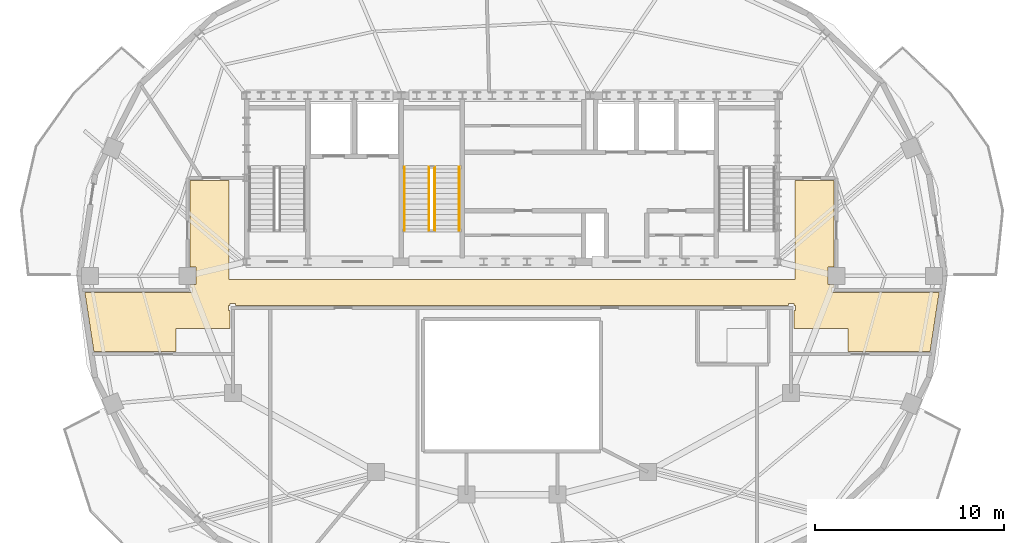
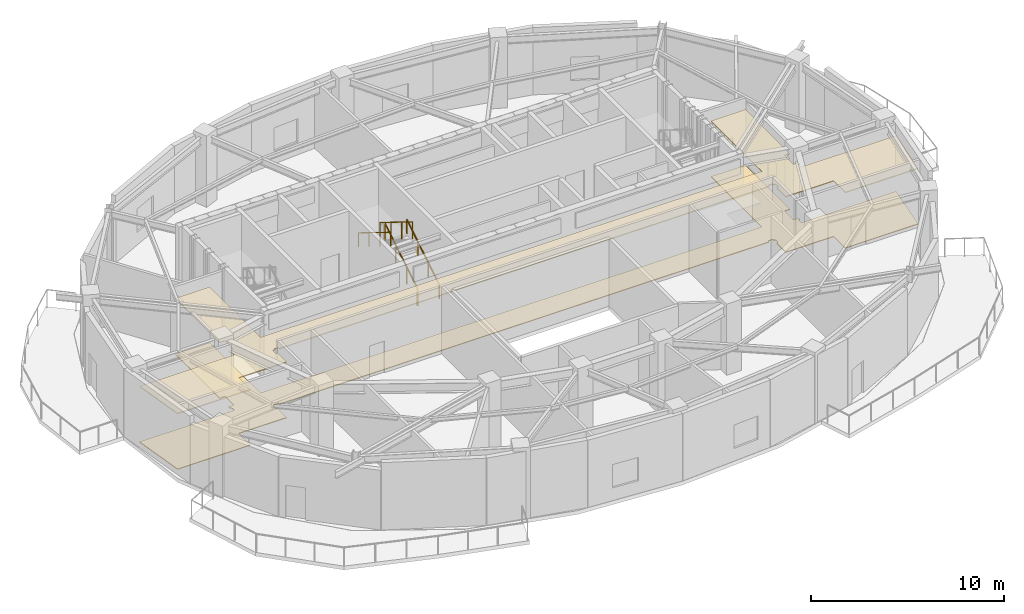
# One storey, part 7 of 9: 4 railings, 2 coverings.
"""IFC4 building model written with IfcOpenShell, lengths in metres."""

from ifc_helpers import new_model, si_unit, direction, frame, origin, origin_2d, place, context, subcontext, project, spatial, polyline, rectangle, outline, extrude, material, layer, layer_set, type_object, element, save


model = new_model("IFC4")

# Units and contexts
model_context = context("Model", 3, precision=1e-05, world=origin(), true_north=direction((0.0, 1.0)))
body_context = subcontext(model_context, "Body", "Model", "MODEL_VIEW")
ifc_project = project(units=[si_unit("LENGTHUNIT", "METRE"), si_unit("AREAUNIT", "SQUARE_METRE"), si_unit("VOLUMEUNIT", "CUBIC_METRE"), si_unit("PLANEANGLEUNIT", "RADIAN"), si_unit("MASSUNIT", "GRAM", prefix="KILO")], contexts=[model_context])

# Site, building, storey
site_placement = place(None, origin())
site = spatial("IfcSite", under=ifc_project, at=site_placement, CompositionType="ELEMENT")
building_placement = place(site_placement, origin())
building = spatial("IfcBuilding", under=site, at=building_placement, Name="Haldorwick Loom Tower", CompositionType="ELEMENT")
storey_placement = place(building_placement, frame((0.0, 0.0, 277.5)))
storey = spatial("IfcBuildingStorey", under=building, at=storey_placement, Name="L75", CompositionType="ELEMENT", Elevation=277.5)

# Coverings
ifc_material_1 = material(Name="Mineral Fibre Acoustic Ceiling Tile")
ifc_layer_1 = layer(ifc_material_1, 0.054931640625, Name="Mineral Fibre Acoustic Ceiling Tile")
ifc_layer_set_1 = layer_set([ifc_layer_1], Name="Mineral Fibre Acoustic Ceiling Tile")
covering_type_1 = type_object("IfcCoveringType", Name="ARC-COV-CEIL2", PredefinedType="CEILING", material=ifc_layer_set_1)
covering_1_placement = place(storey_placement, frame((0.0, 0.0, 3.509033203125)))
element("IfcCovering", 1, at=covering_1_placement, inside=storey, type_object=covering_type_1, Name="L75 Acoustic Suspended Ceiling 1", PredefinedType="CEILING", context=body_context, shape_type="SweptSolid", body=[
    extrude(outline(polyline([(13.8388671875, 21.989990234375), (18.199951171875, 21.989990234375), (18.199951171875, 23.199951171875), (21.06005859375, 23.199951171875), (21.06005859375, 24.159912109375), (20.97998046875, 24.159912109375), (20.97802734375, 24.16015625), (20.97607421875, 24.160400390625), (20.97412109375, 24.160888671875), (20.972412109375, 24.16162109375), (20.970703125, 24.162353515625), (20.968994140625, 24.163330078125), (20.96728515625, 24.16455078125), (20.9658203125, 24.166015625), (20.964599609375, 24.167236328125), (20.96337890625, 24.1689453125), (20.96240234375, 24.170654296875), (20.96142578125, 24.17236328125), (20.9609375, 24.17431640625), (20.96044921875, 24.176025390625), (20.960205078125, 24.177978515625), (20.9599609375, 24.179931640625), (20.9599609375, 24.419921875), (20.960205078125, 24.422119140625), (20.96044921875, 24.423828125), (20.9609375, 24.42578125), (20.96142578125, 24.427734375), (20.96240234375, 24.429443359375), (20.96337890625, 24.43115234375), (20.964599609375, 24.4326171875), (20.9658203125, 24.43408203125), (20.96728515625, 24.435546875), (20.968994140625, 24.4365234375), (20.970703125, 24.4375), (20.972412109375, 24.4384765625), (20.97412109375, 24.439208984375), (20.97607421875, 24.439697265625), (20.97802734375, 24.43994140625), (20.97998046875, 24.43994140625), (21.06005859375, 24.43994140625), (21.06005859375, 24.52001953125), (21.06005859375, 24.52197265625), (21.060302734375, 24.52392578125), (21.060791015625, 24.52587890625), (21.0615234375, 24.527587890625), (21.0625, 24.529296875), (21.0634765625, 24.531005859375), (21.064453125, 24.53271484375), (21.06591796875, 24.5341796875), (21.0673828125, 24.535400390625), (21.06884765625, 24.53662109375), (21.070556640625, 24.53759765625), (21.072265625, 24.53857421875), (21.07421875, 24.5390625), (21.076171875, 24.53955078125), (21.077880859375, 24.539794921875), (21.080078125, 24.5400390625), (21.320068359375, 24.5400390625), (21.322021484375, 24.539794921875), (21.323974609375, 24.53955078125), (21.32568359375, 24.5390625), (21.32763671875, 24.53857421875), (21.329345703125, 24.53759765625), (21.3310546875, 24.53662109375), (21.332763671875, 24.535400390625), (21.333984375, 24.5341796875), (21.33544921875, 24.53271484375), (21.336669921875, 24.531005859375), (21.337646484375, 24.529296875), (21.33837890625, 24.527587890625), (21.339111328125, 24.52587890625), (21.339599609375, 24.52392578125), (21.33984375, 24.52197265625), (21.340087890625, 24.52001953125), (21.340087890625, 24.43994140625), (50.659912109375, 24.43994140625), (50.659912109375, 24.52001953125), (50.66015625, 24.52197265625), (50.660400390625, 24.52392578125), (50.660888671875, 24.52587890625), (50.66162109375, 24.527587890625), (50.662353515625, 24.529296875), (50.663330078125, 24.531005859375), (50.66455078125, 24.53271484375), (50.666015625, 24.5341796875), (50.667236328125, 24.535400390625), (50.6689453125, 24.53662109375), (50.670654296875, 24.53759765625), (50.67236328125, 24.53857421875), (50.67431640625, 24.5390625), (50.676025390625, 24.53955078125), (50.677978515625, 24.539794921875), (50.679931640625, 24.5400390625), (50.919921875, 24.5400390625), (50.922119140625, 24.539794921875), (50.923828125, 24.53955078125), (50.92578125, 24.5390625), (50.927734375, 24.53857421875), (50.929443359375, 24.53759765625), (50.93115234375, 24.53662109375), (50.9326171875, 24.535400390625), (50.93408203125, 24.5341796875), (50.935546875, 24.53271484375), (50.9365234375, 24.531005859375), (50.9375, 24.529296875), (50.9384765625, 24.527587890625), (50.939208984375, 24.52587890625), (50.939697265625, 24.52392578125), (50.93994140625, 24.52197265625), (50.93994140625, 24.52001953125), (50.93994140625, 24.43994140625), (51.02001953125, 24.43994140625), (51.02197265625, 24.43994140625), (51.02392578125, 24.439697265625), (51.02587890625, 24.439208984375), (51.027587890625, 24.4384765625), (51.029296875, 24.4375), (51.031005859375, 24.4365234375), (51.03271484375, 24.435546875), (51.0341796875, 24.43408203125), (51.035400390625, 24.4326171875), (51.03662109375, 24.43115234375), (51.03759765625, 24.429443359375), (51.03857421875, 24.427734375), (51.0390625, 24.42578125), (51.03955078125, 24.423828125), (51.039794921875, 24.422119140625), (51.0400390625, 24.419921875), (51.0400390625, 24.179931640625), (51.039794921875, 24.177978515625), (51.03955078125, 24.176025390625), (51.0390625, 24.17431640625), (51.03857421875, 24.17236328125), (51.03759765625, 24.170654296875), (51.03662109375, 24.1689453125), (51.035400390625, 24.167236328125), (51.0341796875, 24.166015625), (51.03271484375, 24.16455078125), (51.031005859375, 24.163330078125), (51.029296875, 24.162353515625), (51.027587890625, 24.16162109375), (51.02587890625, 24.160888671875), (51.02392578125, 24.160400390625), (51.02197265625, 24.16015625), (51.02001953125, 24.159912109375), (50.93994140625, 24.159912109375), (50.93994140625, 23.199951171875), (53.800048828125, 23.199951171875), (53.800048828125, 21.989990234375), (58.1611328125, 21.989990234375), (58.63818359375, 25.110107421875), (52.97998046875, 25.110107421875), (52.97802734375, 25.110107421875), (52.97607421875, 25.1103515625), (52.97412109375, 25.11083984375), (52.972412109375, 25.111572265625), (52.970703125, 25.1123046875), (52.968994140625, 25.11328125), (52.96728515625, 25.114501953125), (52.9658203125, 25.115966796875), (52.964599609375, 25.1171875), (52.96337890625, 25.118896484375), (52.96240234375, 25.12060546875), (52.96142578125, 25.122314453125), (52.9609375, 25.124267578125), (52.96044921875, 25.126220703125), (52.960205078125, 25.1279296875), (52.9599609375, 25.1298828125), (52.9599609375, 25.3701171875), (52.960205078125, 25.3720703125), (52.96044921875, 25.373779296875), (52.9609375, 25.375732421875), (52.96142578125, 25.377685546875), (52.96240234375, 25.37939453125), (52.96337890625, 25.381103515625), (52.964599609375, 25.3828125), (52.9658203125, 25.384033203125), (52.96728515625, 25.385498046875), (52.968994140625, 25.38671875), (52.970703125, 25.3876953125), (52.972412109375, 25.388427734375), (52.97412109375, 25.38916015625), (52.97607421875, 25.3896484375), (52.97802734375, 25.389892578125), (52.97998046875, 25.389892578125), (53.06005859375, 25.389892578125), (53.06005859375, 25.5419921875), (52.741943359375, 25.5419921875), (52.741943359375, 26.4580078125), (53.06005859375, 26.4580078125), (53.06005859375, 31.06005859375), (51.0, 31.06005859375), (51.0, 25.800048828125), (21.0, 25.800048828125), (21.0, 31.06005859375), (18.93994140625, 31.06005859375), (18.93994140625, 26.4580078125), (19.258056640625, 26.4580078125), (19.258056640625, 25.5419921875), (18.93994140625, 25.5419921875), (18.93994140625, 25.389892578125), (19.02001953125, 25.389892578125), (19.02197265625, 25.389892578125), (19.02392578125, 25.3896484375), (19.02587890625, 25.38916015625), (19.027587890625, 25.388427734375), (19.029296875, 25.3876953125), (19.031005859375, 25.38671875), (19.03271484375, 25.385498046875), (19.0341796875, 25.384033203125), (19.035400390625, 25.3828125), (19.03662109375, 25.381103515625), (19.03759765625, 25.37939453125), (19.03857421875, 25.377685546875), (19.0390625, 25.375732421875), (19.03955078125, 25.373779296875), (19.039794921875, 25.3720703125), (19.0400390625, 25.3701171875), (19.0400390625, 25.1298828125), (19.039794921875, 25.1279296875), (19.03955078125, 25.126220703125), (19.0390625, 25.124267578125), (19.03857421875, 25.122314453125), (19.03759765625, 25.12060546875), (19.03662109375, 25.118896484375), (19.035400390625, 25.1171875), (19.0341796875, 25.115966796875), (19.03271484375, 25.114501953125), (19.031005859375, 25.11328125), (19.029296875, 25.1123046875), (19.027587890625, 25.111572265625), (19.02587890625, 25.11083984375), (19.02392578125, 25.1103515625), (19.02197265625, 25.110107421875), (19.02001953125, 25.110107421875), (13.36181640625, 25.110107421875), (13.8388671875, 21.989990234375)])), origin(), (0.0, 0.0, 1.0), 0.054931640625),
])
ifc_material_2 = material(Name="Polished Aggregate Terrazzo Finish")
ifc_layer_2 = layer(ifc_material_2, 0.044921875, Name="Polished Aggregate Terrazzo Finish")
ifc_layer_set_2 = layer_set([ifc_layer_2], Name="Polished Aggregate Terrazzo Finish")
covering_type_2 = type_object("IfcCoveringType", Name="ARC-COV-FLOOR2", PredefinedType="FLOORING", material=ifc_layer_set_2)
covering_2_placement = place(storey_placement, origin())
element("IfcCovering", 2, at=covering_2_placement, inside=storey, type_object=covering_type_2, Name="L75 Floor Finish 1", PredefinedType="FLOORING", context=body_context, shape_type="SweptSolid", body=[
    extrude(outline(polyline([(13.8388671875, 21.989990234375), (18.199951171875, 21.989990234375), (18.199951171875, 23.199951171875), (21.06005859375, 23.199951171875), (21.06005859375, 24.159912109375), (20.97998046875, 24.159912109375), (20.97802734375, 24.16015625), (20.97607421875, 24.160400390625), (20.97412109375, 24.160888671875), (20.972412109375, 24.16162109375), (20.970703125, 24.162353515625), (20.968994140625, 24.163330078125), (20.96728515625, 24.16455078125), (20.9658203125, 24.166015625), (20.964599609375, 24.167236328125), (20.96337890625, 24.1689453125), (20.96240234375, 24.170654296875), (20.96142578125, 24.17236328125), (20.9609375, 24.17431640625), (20.96044921875, 24.176025390625), (20.960205078125, 24.177978515625), (20.9599609375, 24.179931640625), (20.9599609375, 24.419921875), (20.960205078125, 24.422119140625), (20.96044921875, 24.423828125), (20.9609375, 24.42578125), (20.96142578125, 24.427734375), (20.96240234375, 24.429443359375), (20.96337890625, 24.43115234375), (20.964599609375, 24.4326171875), (20.9658203125, 24.43408203125), (20.96728515625, 24.435546875), (20.968994140625, 24.4365234375), (20.970703125, 24.4375), (20.972412109375, 24.4384765625), (20.97412109375, 24.439208984375), (20.97607421875, 24.439697265625), (20.97802734375, 24.43994140625), (20.97998046875, 24.43994140625), (21.06005859375, 24.43994140625), (21.06005859375, 24.52001953125), (21.06005859375, 24.52197265625), (21.060302734375, 24.52392578125), (21.060791015625, 24.52587890625), (21.0615234375, 24.527587890625), (21.0625, 24.529296875), (21.0634765625, 24.531005859375), (21.064453125, 24.53271484375), (21.06591796875, 24.5341796875), (21.0673828125, 24.535400390625), (21.06884765625, 24.53662109375), (21.070556640625, 24.53759765625), (21.072265625, 24.53857421875), (21.07421875, 24.5390625), (21.076171875, 24.53955078125), (21.077880859375, 24.539794921875), (21.080078125, 24.5400390625), (21.320068359375, 24.5400390625), (21.322021484375, 24.539794921875), (21.323974609375, 24.53955078125), (21.32568359375, 24.5390625), (21.32763671875, 24.53857421875), (21.329345703125, 24.53759765625), (21.3310546875, 24.53662109375), (21.332763671875, 24.535400390625), (21.333984375, 24.5341796875), (21.33544921875, 24.53271484375), (21.336669921875, 24.531005859375), (21.337646484375, 24.529296875), (21.33837890625, 24.527587890625), (21.339111328125, 24.52587890625), (21.339599609375, 24.52392578125), (21.33984375, 24.52197265625), (21.340087890625, 24.52001953125), (21.340087890625, 24.43994140625), (50.659912109375, 24.43994140625), (50.659912109375, 24.52001953125), (50.66015625, 24.52197265625), (50.660400390625, 24.52392578125), (50.660888671875, 24.52587890625), (50.66162109375, 24.527587890625), (50.662353515625, 24.529296875), (50.663330078125, 24.531005859375), (50.66455078125, 24.53271484375), (50.666015625, 24.5341796875), (50.667236328125, 24.535400390625), (50.6689453125, 24.53662109375), (50.670654296875, 24.53759765625), (50.67236328125, 24.53857421875), (50.67431640625, 24.5390625), (50.676025390625, 24.53955078125), (50.677978515625, 24.539794921875), (50.679931640625, 24.5400390625), (50.919921875, 24.5400390625), (50.922119140625, 24.539794921875), (50.923828125, 24.53955078125), (50.92578125, 24.5390625), (50.927734375, 24.53857421875), (50.929443359375, 24.53759765625), (50.93115234375, 24.53662109375), (50.9326171875, 24.535400390625), (50.93408203125, 24.5341796875), (50.935546875, 24.53271484375), (50.9365234375, 24.531005859375), (50.9375, 24.529296875), (50.9384765625, 24.527587890625), (50.939208984375, 24.52587890625), (50.939697265625, 24.52392578125), (50.93994140625, 24.52197265625), (50.93994140625, 24.52001953125), (50.93994140625, 24.43994140625), (51.02001953125, 24.43994140625), (51.02197265625, 24.43994140625), (51.02392578125, 24.439697265625), (51.02587890625, 24.439208984375), (51.027587890625, 24.4384765625), (51.029296875, 24.4375), (51.031005859375, 24.4365234375), (51.03271484375, 24.435546875), (51.0341796875, 24.43408203125), (51.035400390625, 24.4326171875), (51.03662109375, 24.43115234375), (51.03759765625, 24.429443359375), (51.03857421875, 24.427734375), (51.0390625, 24.42578125), (51.03955078125, 24.423828125), (51.039794921875, 24.422119140625), (51.0400390625, 24.419921875), (51.0400390625, 24.179931640625), (51.039794921875, 24.177978515625), (51.03955078125, 24.176025390625), (51.0390625, 24.17431640625), (51.03857421875, 24.17236328125), (51.03759765625, 24.170654296875), (51.03662109375, 24.1689453125), (51.035400390625, 24.167236328125), (51.0341796875, 24.166015625), (51.03271484375, 24.16455078125), (51.031005859375, 24.163330078125), (51.029296875, 24.162353515625), (51.027587890625, 24.16162109375), (51.02587890625, 24.160888671875), (51.02392578125, 24.160400390625), (51.02197265625, 24.16015625), (51.02001953125, 24.159912109375), (50.93994140625, 24.159912109375), (50.93994140625, 23.199951171875), (53.800048828125, 23.199951171875), (53.800048828125, 21.989990234375), (58.1611328125, 21.989990234375), (58.63818359375, 25.110107421875), (52.97998046875, 25.110107421875), (52.97802734375, 25.110107421875), (52.97607421875, 25.1103515625), (52.97412109375, 25.11083984375), (52.972412109375, 25.111572265625), (52.970703125, 25.1123046875), (52.968994140625, 25.11328125), (52.96728515625, 25.114501953125), (52.9658203125, 25.115966796875), (52.964599609375, 25.1171875), (52.96337890625, 25.118896484375), (52.96240234375, 25.12060546875), (52.96142578125, 25.122314453125), (52.9609375, 25.124267578125), (52.96044921875, 25.126220703125), (52.960205078125, 25.1279296875), (52.9599609375, 25.1298828125), (52.9599609375, 25.3701171875), (52.960205078125, 25.3720703125), (52.96044921875, 25.373779296875), (52.9609375, 25.375732421875), (52.96142578125, 25.377685546875), (52.96240234375, 25.37939453125), (52.96337890625, 25.381103515625), (52.964599609375, 25.3828125), (52.9658203125, 25.384033203125), (52.96728515625, 25.385498046875), (52.968994140625, 25.38671875), (52.970703125, 25.3876953125), (52.972412109375, 25.388427734375), (52.97412109375, 25.38916015625), (52.97607421875, 25.3896484375), (52.97802734375, 25.389892578125), (52.97998046875, 25.389892578125), (53.06005859375, 25.389892578125), (53.06005859375, 25.5419921875), (52.741943359375, 25.5419921875), (52.741943359375, 26.4580078125), (53.06005859375, 26.4580078125), (53.06005859375, 31.06005859375), (51.0, 31.06005859375), (51.0, 25.800048828125), (21.0, 25.800048828125), (21.0, 31.06005859375), (18.93994140625, 31.06005859375), (18.93994140625, 26.4580078125), (19.258056640625, 26.4580078125), (19.258056640625, 25.5419921875), (18.93994140625, 25.5419921875), (18.93994140625, 25.389892578125), (19.02001953125, 25.389892578125), (19.02197265625, 25.389892578125), (19.02392578125, 25.3896484375), (19.02587890625, 25.38916015625), (19.027587890625, 25.388427734375), (19.029296875, 25.3876953125), (19.031005859375, 25.38671875), (19.03271484375, 25.385498046875), (19.0341796875, 25.384033203125), (19.035400390625, 25.3828125), (19.03662109375, 25.381103515625), (19.03759765625, 25.37939453125), (19.03857421875, 25.377685546875), (19.0390625, 25.375732421875), (19.03955078125, 25.373779296875), (19.039794921875, 25.3720703125), (19.0400390625, 25.3701171875), (19.0400390625, 25.1298828125), (19.039794921875, 25.1279296875), (19.03955078125, 25.126220703125), (19.0390625, 25.124267578125), (19.03857421875, 25.122314453125), (19.03759765625, 25.12060546875), (19.03662109375, 25.118896484375), (19.035400390625, 25.1171875), (19.0341796875, 25.115966796875), (19.03271484375, 25.114501953125), (19.031005859375, 25.11328125), (19.029296875, 25.1123046875), (19.027587890625, 25.111572265625), (19.02587890625, 25.11083984375), (19.02392578125, 25.1103515625), (19.02197265625, 25.110107421875), (19.02001953125, 25.110107421875), (13.36181640625, 25.110107421875), (13.8388671875, 21.989990234375)])), origin(), (0.0, 0.0, 1.0), 0.044921875),
])

# Railings
ifc_material_3 = material(Name="Steel CSA G40.21 350W", Category="steel")
railing_type_1 = type_object("IfcRailingType", Name="ARC-RLG-GUARD112", PredefinedType="GUARDRAIL", material=ifc_material_3)
railing_1_placement = place(storey_placement, frame((31.89990234375, 28.39990234375, 0.173095703125)))
element("IfcRailing", 3, at=railing_1_placement, inside=storey, type_object=railing_type_1, Name="L75 ST-03 stair guard 1", PredefinedType="GUARDRAIL", context=body_context, shape_type="SweptSolid", body=[
    extrude(rectangle(XDim=0.048095703125, YDim=0.048095703125, at=origin_2d()), frame((0.0, 0.0, 1.076171875), z_axis=(0.0, 0.850623216509, 0.525775754039), x_axis=(-1.0, 0.0, 0.0)), (0.0, 0.0, 1.0), 3.9501953125),
    extrude(rectangle(XDim=0.0419921875, YDim=0.0419921875, at=origin_2d()), origin(), (0.0, 0.0, 1.0), 1.052001953125),
    extrude(rectangle(XDim=0.0419921875, YDim=0.0419921875, at=origin_2d()), frame((0.0, 1.1201171875, 0.6923828125)), (0.0, 0.0, 1.0), 1.052001953125),
    extrude(rectangle(XDim=0.0419921875, YDim=0.0419921875, at=origin_2d()), frame((0.0, 2.239990234375, 1.384521484375)), (0.0, 0.0, 1.0), 1.052001953125),
    extrude(rectangle(XDim=0.0419921875, YDim=0.0419921875, at=origin_2d()), frame((0.0, 3.360107421875, 2.076904296875)), (0.0, 0.0, 1.0), 1.052001953125),
])
railing_2_placement = place(storey_placement, frame((31.60009765625, 31.760009765625, 2.423095703125)))
element("IfcRailing", 4, at=railing_2_placement, inside=storey, type_object=railing_type_1, Name="L75 ST-03 stair guard 3", PredefinedType="GUARDRAIL", context=body_context, shape_type="SweptSolid", body=[
    extrude(rectangle(XDim=0.048095703125, YDim=0.048095703125, at=origin_2d()), frame((0.0, 0.0, 1.076171875), z_axis=(0.0, -0.850623216509, 0.525775754039), x_axis=(1.0, 0.0, 0.0)), (0.0, 0.0, 1.0), 3.9501953125),
    extrude(rectangle(XDim=0.0419921875, YDim=0.0419921875, at=origin_2d()), origin(), (0.0, 0.0, 1.0), 1.052001953125),
    extrude(rectangle(XDim=0.0419921875, YDim=0.0419921875, at=origin_2d()), frame((0.0, -1.1201171875, 0.6923828125)), (0.0, 0.0, 1.0), 1.052001953125),
    extrude(rectangle(XDim=0.0419921875, YDim=0.0419921875, at=origin_2d()), frame((0.0, -2.239990234375, 1.384521484375)), (0.0, 0.0, 1.0), 1.052001953125),
    extrude(rectangle(XDim=0.0419921875, YDim=0.0419921875, at=origin_2d()), frame((0.0, -3.360107421875, 2.076904296875)), (0.0, 0.0, 1.0), 1.052001953125),
])
railing_type_2 = type_object("IfcRailingType", Name="ARC-RLG-HAND092", PredefinedType="HANDRAIL", material=ifc_material_3)
railing_3_placement = place(storey_placement, frame((33.199951171875, 28.39990234375, 0.173095703125)))
element("IfcRailing", 5, at=railing_3_placement, inside=storey, type_object=railing_type_2, Name="L75 ST-03 stair handrail 1", PredefinedType="HANDRAIL", context=body_context, shape_type="SweptSolid", body=[
    extrude(rectangle(XDim=0.048095703125, YDim=0.048095703125, at=origin_2d()), frame((0.0, 0.0, 0.8759765625), z_axis=(0.0, 0.850623216509, 0.525775754039), x_axis=(-1.0, 0.0, 0.0)), (0.0, 0.0, 1.0), 3.9501953125),
    extrude(rectangle(XDim=0.0419921875, YDim=0.0419921875, at=origin_2d()), origin(), (0.0, 0.0, 1.0), 0.851806640625),
    extrude(rectangle(XDim=0.0419921875, YDim=0.0419921875, at=origin_2d()), frame((0.0, 1.1201171875, 0.6923828125)), (0.0, 0.0, 1.0), 0.851806640625),
    extrude(rectangle(XDim=0.0419921875, YDim=0.0419921875, at=origin_2d()), frame((0.0, 2.239990234375, 1.384521484375)), (0.0, 0.0, 1.0), 0.851806640625),
    extrude(rectangle(XDim=0.0419921875, YDim=0.0419921875, at=origin_2d()), frame((0.0, 3.360107421875, 2.076904296875)), (0.0, 0.0, 1.0), 0.851806640625),
])
railing_4_placement = place(storey_placement, frame((30.300048828125, 31.760009765625, 2.423095703125)))
element("IfcRailing", 6, at=railing_4_placement, inside=storey, type_object=railing_type_2, Name="L75 ST-03 stair handrail 2", PredefinedType="HANDRAIL", context=body_context, shape_type="SweptSolid", body=[
    extrude(rectangle(XDim=0.048095703125, YDim=0.048095703125, at=origin_2d()), frame((0.0, 0.0, 0.8759765625), z_axis=(0.0, -0.850623216509, 0.525775754039), x_axis=(1.0, 0.0, 0.0)), (0.0, 0.0, 1.0), 3.9501953125),
    extrude(rectangle(XDim=0.0419921875, YDim=0.0419921875, at=origin_2d()), origin(), (0.0, 0.0, 1.0), 0.851806640625),
    extrude(rectangle(XDim=0.0419921875, YDim=0.0419921875, at=origin_2d()), frame((0.0, -1.1201171875, 0.6923828125)), (0.0, 0.0, 1.0), 0.851806640625),
    extrude(rectangle(XDim=0.0419921875, YDim=0.0419921875, at=origin_2d()), frame((0.0, -2.239990234375, 1.384521484375)), (0.0, 0.0, 1.0), 0.851806640625),
    extrude(rectangle(XDim=0.0419921875, YDim=0.0419921875, at=origin_2d()), frame((0.0, -3.360107421875, 2.076904296875)), (0.0, 0.0, 1.0), 0.851806640625),
])

save(model, "model.ifc")
